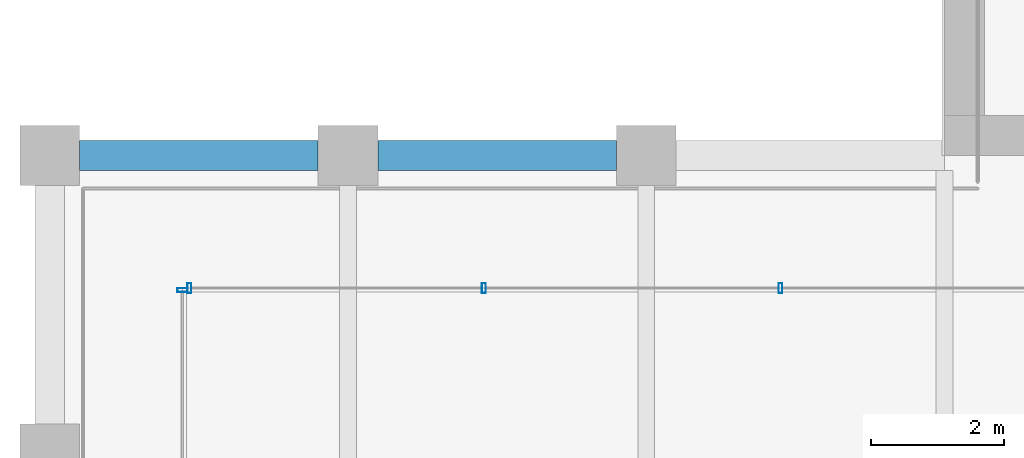
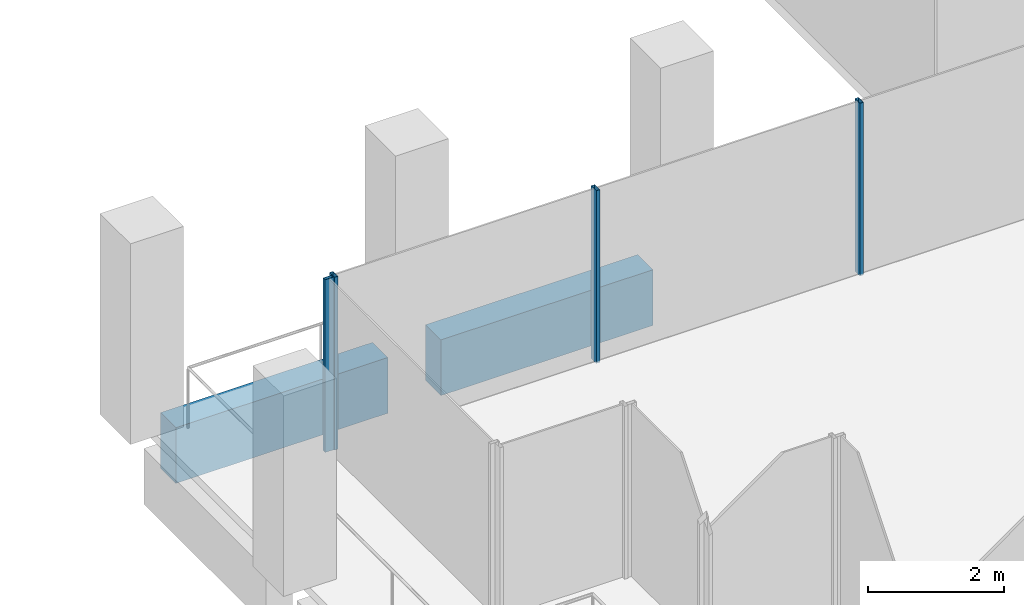
# One storey, part 5 of 40: 4 members, 2 beams, 2 elements without a shape of their own.
"""IFC4 building model written with IfcOpenShell, lengths in metres."""

import ifcopenshell
import ifcopenshell.guid

model = None  # the IFC model being written
_history = None  # IfcOwnerHistory: only IFC2X3 demands one
_inside = {}  # id of a spatial element -> (the spatial element, [elements in it])
_under = {}  # id of a project, library or spatial element -> (it, [spatial elements below it])
_declared = {}  # id of a project -> (the project, [libraries it declares])
_typed = {}  # id of a type object -> (the type object, [elements of that type])
_made_of = {}  # id of a material, layer set ... -> (it, [elements and type objects made of it])


def new_model(schema):
    """Start an empty IFC model of exactly this schema.

    Asked for "IFC4X3", IfcOpenShell would pick the latest addendum, in which some entities
    have other attributes; the version numbers below select the first issue.
    IFC2X3 requires an IfcOwnerHistory on every rooted entity: one is made here for all.
    """
    global model, _history
    if schema == "IFC4X3":
        model = ifcopenshell.file(schema_version=(4, 3, 0, 0))
    else:
        model = ifcopenshell.file(schema=schema)
    _inside.clear()
    _under.clear()
    _declared.clear()
    _typed.clear()
    _made_of.clear()
    _history = None
    if model.schema == "IFC2X3":
        org = make("IfcOrganization", Name="unknown")
        user = make(
            "IfcPersonAndOrganization",
            ThePerson=make("IfcPerson", FamilyName="unknown"),
            TheOrganization=org,
        )
        app = make(
            "IfcApplication",
            ApplicationDeveloper=org,
            Version="unknown",
            ApplicationFullName="unknown",
            ApplicationIdentifier="unknown",
        )
        _history = make(
            "IfcOwnerHistory",
            OwningUser=user,
            OwningApplication=app,
            ChangeAction="ADDED",
            CreationDate=0,
        )
    return model


def make(cls, **values):
    """One entity of the class cls with the attributes given. An attribute that is None is left unset."""
    return model.create_entity(
        cls, **{name: value for name, value in values.items() if value is not None}
    )


def rooted(cls, **values):
    """An entity with a GlobalId (a new one), such as an element, a storey or a relation."""
    return make(cls, GlobalId=ifcopenshell.guid.new(), OwnerHistory=_history, **values)


def si_unit(unit_type, name, prefix=None):
    """IfcSIUnit, for example si_unit("LENGTHUNIT", "METRE", prefix="MILLI")."""
    return make("IfcSIUnit", UnitType=unit_type, Prefix=prefix, Name=name)


def assignment(units):
    """IfcUnitAssignment: the units of a project."""
    return None if units is None else make("IfcUnitAssignment", Units=units)


def point(xyz):
    """IfcCartesianPoint."""
    return None if xyz is None else make("IfcCartesianPoint", Coordinates=xyz)


def direction(xyz):
    """IfcDirection."""
    return None if xyz is None else make("IfcDirection", DirectionRatios=xyz)


def frame(location, z_axis=None, x_axis=None):
    """IfcAxis2Placement3D, a coordinate frame: its origin and axes. An axis left out is left unset."""
    return make(
        "IfcAxis2Placement3D",
        Location=point(location),
        Axis=direction(z_axis),
        RefDirection=direction(x_axis),
    )


def frame_2d(location, x_axis=None):
    """IfcAxis2Placement2D, a coordinate frame in the plane: its origin and x axis."""
    return make(
        "IfcAxis2Placement2D", Location=point(location), RefDirection=direction(x_axis)
    )


def origin():
    """The frame at (0, 0, 0) with its axes left unset."""
    return frame((0.0, 0.0, 0.0))


def origin_2d():
    """The frame at (0, 0) in the plane with its x axis left unset."""
    return frame_2d((0.0, 0.0))


def place(relative_to, where):
    """IfcLocalPlacement: puts the frame where relative to a parent placement (None: the world)."""
    return make(
        "IfcLocalPlacement", PlacementRelTo=relative_to, RelativePlacement=where
    )


def context(
    kind, dimensions, precision=None, world=None, true_north=None, identifier=None
):
    """IfcGeometricRepresentationContext, for example the 3D "Model" context."""
    return make(
        "IfcGeometricRepresentationContext",
        ContextIdentifier=identifier,
        ContextType=kind,
        CoordinateSpaceDimension=dimensions,
        Precision=precision,
        WorldCoordinateSystem=world,
        TrueNorth=true_north,
    )


def subcontext(parent, identifier, kind, view, scale=None):
    """IfcGeometricRepresentationSubContext, for example "Body" below "Model"."""
    return make(
        "IfcGeometricRepresentationSubContext",
        ContextIdentifier=identifier,
        ContextType=kind,
        ParentContext=parent,
        TargetScale=scale,
        TargetView=view,
    )


def project(units=None, contexts=None):
    """IfcProject with its units and contexts."""
    return rooted(
        "IfcProject",
        Name="project",
        RepresentationContexts=contexts,
        UnitsInContext=assignment(units),
    )


def spatial(cls, under=None, at=None, **own):
    """A site, building, storey or space (cls), placed at a placement, below another one or the project."""
    s = rooted(cls, ObjectPlacement=at, **own)
    if under is not None:
        _under.setdefault(under.id(), (under, []))[1].append(s)
    return s


def profile(cls, at=None, kind="AREA", **sizes):
    """A parametric profile (cls). Its sizes go by their IFC names, for example OverallWidth=200.0."""
    return make(cls, ProfileType=kind, Position=at, **sizes)


def rectangle(**sizes):
    """IfcRectangleProfileDef."""
    return profile("IfcRectangleProfileDef", **sizes)


def hollow_rectangle(**sizes):
    """IfcRectangleHollowProfileDef."""
    return profile("IfcRectangleHollowProfileDef", **sizes)


def extrude(swept, where, along, depth):
    """IfcExtrudedAreaSolid: the profile swept, set in the frame where, extruded along a direction by depth."""
    return make(
        "IfcExtrudedAreaSolid",
        SweptArea=swept,
        Position=where,
        ExtrudedDirection=direction(along),
        Depth=depth,
    )


def shape(context_of_items, identifier, shape_type, items):
    """IfcShapeRepresentation: the items that make up one representation, for example the "Body"."""
    return make(
        "IfcShapeRepresentation",
        ContextOfItems=context_of_items,
        RepresentationIdentifier=identifier,
        RepresentationType=shape_type,
        Items=items,
    )


def material(Name=None, Category=None):
    """IfcMaterial."""
    return make("IfcMaterial", Name=Name, Category=Category)


def material_profile(
    of_material, cross_section, Name=None, Category=None, Priority=None
):
    """IfcMaterialProfile: a cross section and its material."""
    return make(
        "IfcMaterialProfile",
        Name=Name,
        Material=of_material,
        Profile=cross_section,
        Priority=Priority,
        Category=Category,
    )


def profile_set(profiles, Name=None, composite=None):
    """IfcMaterialProfileSet."""
    return make(
        "IfcMaterialProfileSet",
        Name=Name,
        MaterialProfiles=profiles,
        CompositeProfile=composite,
    )


def made_of(thing, what):
    """Note that an element or type object is made of a material, layer set ...; save() writes the relation."""
    if what is not None:
        _made_of.setdefault(what.id(), (what, []))[1].append(thing)
    return thing


def type_object(cls, material=None, **own):
    """A type object (cls), such as IfcWallType, which elements share."""
    return made_of(rooted(cls, **own), material)


def element(
    cls,
    number,
    at=None,
    inside=None,
    cuts=None,
    type_object=None,
    material=None,
    context=None,
    identifier="Body",
    shape_type=None,
    held_by="IfcProductDefinitionShape",
    body=None,
    shapes=None,
    **own,
):
    """One element of the class cls, such as IfcWall. Its Tag is "e" and its number.

    at: its placement. inside: the storey or other place that contains it. cuts: it is an
    opening in that element (IfcRelVoidsElement). A single representation is given by context,
    identifier, shape_type and body (its items); several are given by shapes. held_by: the class
    of the entity that holds the representations. save() writes the other relations.
    """
    e = rooted(cls, Tag="e%d" % number, ObjectPlacement=at, **own)
    if body is not None:
        shapes = [shape(context, identifier, shape_type, body)]
    if shapes is not None:
        e.Representation = make(held_by, Representations=shapes)
    if inside is not None:
        _inside.setdefault(inside.id(), (inside, []))[1].append(e)
    if cuts is not None:
        rooted(
            "IfcRelVoidsElement", RelatingBuildingElement=cuts, RelatedOpeningElement=e
        )
    if type_object is not None:
        _typed.setdefault(type_object.id(), (type_object, []))[1].append(e)
    return made_of(e, material)


def aggregate(whole, parts):
    """IfcRelAggregates: a whole, such as a stair, and the parts it consists of."""
    return rooted("IfcRelAggregates", RelatingObject=whole, RelatedObjects=parts)


def save(model, path):
    """Write the relations noted so far, then the file.

    IfcRelAggregates (storeys below a building ...), IfcRelContainedInSpatialStructure (elements
    in a storey), IfcRelDefinesByType, IfcRelAssociatesMaterial and IfcRelDeclares: one each for
    every whole, place, type object, material and project.
    """
    for whole, parts in _under.values():
        aggregate(whole, parts)
    for where, things in _inside.values():
        rooted(
            "IfcRelContainedInSpatialStructure",
            RelatedElements=things,
            RelatingStructure=where,
        )
    for kind, things in _typed.values():
        rooted("IfcRelDefinesByType", RelatedObjects=things, RelatingType=kind)
    for what, things in _made_of.values():
        rooted("IfcRelAssociatesMaterial", RelatedObjects=things, RelatingMaterial=what)
    for by, libraries in _declared.values():
        rooted("IfcRelDeclares", RelatingContext=by, RelatedDefinitions=libraries)
    model.write(path)


model = new_model("IFC4")

# Units and contexts
model_context = context("Model", 3, precision=1e-05, world=origin(), true_north=direction((0.0, 1.0)))
body_context = subcontext(model_context, "Body", "Model", "MODEL_VIEW")
ifc_project = project(units=[si_unit("LENGTHUNIT", "METRE"), si_unit("AREAUNIT", "SQUARE_METRE"), si_unit("VOLUMEUNIT", "CUBIC_METRE"), si_unit("PLANEANGLEUNIT", "RADIAN"), si_unit("MASSUNIT", "GRAM", prefix="KILO")], contexts=[model_context])

# Site, building, storey
site_placement = place(None, origin())
site = spatial("IfcSite", under=ifc_project, at=site_placement, CompositionType="ELEMENT")
building_placement = place(site_placement, origin())
building = spatial("IfcBuilding", under=site, at=building_placement, Name="Altepetl Exchange Towers", CompositionType="ELEMENT")
storey_placement = place(building_placement, frame((0.0, 0.0, 187.0)))
storey = spatial("IfcBuildingStorey", under=building, at=storey_placement, Name="L47", CompositionType="ELEMENT", Elevation=187.0)

# Curtain wall, members
ifc_material_1 = material(Name="Aluminium 6063-T6 glazing", Category="aluminium")
curtain_wall_type = type_object("IfcCurtainWallType", Name="Loggia glazing system", PredefinedType="NOTDEFINED", material=ifc_material_1)
curtain_wall_1_placement = place(storey_placement, origin())
curtain_wall_1 = element("IfcCurtainWall", 1, at=curtain_wall_1_placement, inside=storey, type_object=curtain_wall_type, Name="CW1 run", PredefinedType="NOTDEFINED")
ifc_material_2 = material(Name="Aluminium 6063-T6", Category="aluminium")
ifc_material_profile_1 = material_profile(ifc_material_2, hollow_rectangle(XDim=0.06005859375, YDim=0.14990234375, WallThickness=0.0029296875, at=origin_2d()), Name="Mullion 60x150 aluminium")
ifc_profile_set_1 = profile_set([ifc_material_profile_1], Name="Aluminium 6063-T6")
member_type = type_object("IfcMemberType", Name="Mullion 60x150 aluminium", PredefinedType="MULLION", material=ifc_profile_set_1)
member_1_placement = place(storey_placement, frame((38.02490234375, 38.5, 0.0), z_axis=(0.0, 0.0, 1.0), x_axis=(-1.0, 0.0, 0.0)))
member_1 = element("IfcMember", 2, at=member_1_placement, type_object=member_type, Name="MU1 mullion", PredefinedType="MULLION", context=body_context, shape_type="SweptSolid", body=[
    extrude(hollow_rectangle(XDim=0.06005859375, YDim=0.14990234375, WallThickness=0.0029296875, at=origin_2d()), origin(), (0.0, 0.0, 1.0), 3.10009765625),
])
member_2_placement = place(storey_placement, frame((33.550048828125, 38.5, 0.0), z_axis=(0.0, 0.0, 1.0), x_axis=(-1.0, 0.0, 0.0)))
member_2 = element("IfcMember", 3, at=member_2_placement, type_object=member_type, Name="MU1 mullion", PredefinedType="MULLION", context=body_context, shape_type="SweptSolid", body=[
    extrude(hollow_rectangle(XDim=0.06005859375, YDim=0.14990234375, WallThickness=0.0029296875, at=origin_2d()), origin(), (0.0, 0.0, 1.0), 3.10009765625),
])
member_3_placement = place(storey_placement, frame((29.10498046875, 38.5, 0.0), z_axis=(0.0, 0.0, 1.0), x_axis=(-1.0, 0.0, 0.0)))
member_3 = element("IfcMember", 4, at=member_3_placement, type_object=member_type, Name="MU1 mullion", PredefinedType="MULLION", context=body_context, shape_type="SweptSolid", body=[
    extrude(hollow_rectangle(XDim=0.06005859375, YDim=0.14990234375, WallThickness=0.0029296875, at=origin_2d()), origin(), (0.0, 0.0, 1.0), 3.10009765625),
])
aggregate(curtain_wall_1, [member_1, member_2, member_3])

# Curtain wall, member
curtain_wall_2_placement = place(storey_placement, origin())
curtain_wall_2 = element("IfcCurtainWall", 5, at=curtain_wall_2_placement, inside=storey, type_object=curtain_wall_type, Name="CW1 run", PredefinedType="NOTDEFINED")
member_4_placement = place(storey_placement, frame((29.0, 38.469970703125, 0.0), z_axis=(0.0, 0.0, 1.0), x_axis=(0.0, -1.0, 0.0)))
member_4 = element("IfcMember", 6, at=member_4_placement, type_object=member_type, Name="MU1 mullion", PredefinedType="MULLION", context=body_context, shape_type="SweptSolid", body=[
    extrude(hollow_rectangle(XDim=0.06005859375, YDim=0.14990234375, WallThickness=0.0029296875, at=origin_2d()), origin(), (0.0, 0.0, 1.0), 3.10009765625),
])
aggregate(curtain_wall_2, [member_4])

# Beams
ifc_material_3 = material(Name="Concrete C50/60 precast with tezontle facing", Category="concrete")
ifc_material_profile_2 = material_profile(ifc_material_3, rectangle(XDim=0.449951171875, YDim=1.0, at=origin_2d()), Name="450 x 1000")
ifc_profile_set_2 = profile_set([ifc_material_profile_2], Name="Concrete C50/60 precast with tezontle facing")
beam_type = type_object("IfcBeamType", Name="Spandrel beam 450x1000 tezontle", PredefinedType="SPANDREL", material=ifc_profile_set_2)
for number, where, z_axis, x_axis, name in (
    (7, (35.550048828125, 40.5, -0.64990234375), (-1.0, 0.0, 0.0), (0.0, -1.0, 0.0), "sp:A:L47:034"),
    (8, (31.050048828125, 40.5, -0.64990234375), (-1.0, 0.0, 0.0), (0.0, -1.0, 0.0), "sp:A:L47:035"),
):
    element("IfcBeam", number, at=place(storey_placement, frame(where, z_axis=z_axis, x_axis=x_axis)), inside=storey, type_object=beam_type, Name=name, PredefinedType="SPANDREL", context=body_context, shape_type="SweptSolid", body=[
        extrude(rectangle(XDim=0.449951171875, YDim=1.0, at=origin_2d()), origin(), (0.0, 0.0, 1.0), 3.60009765625),
    ])

save(model, "model.ifc")
